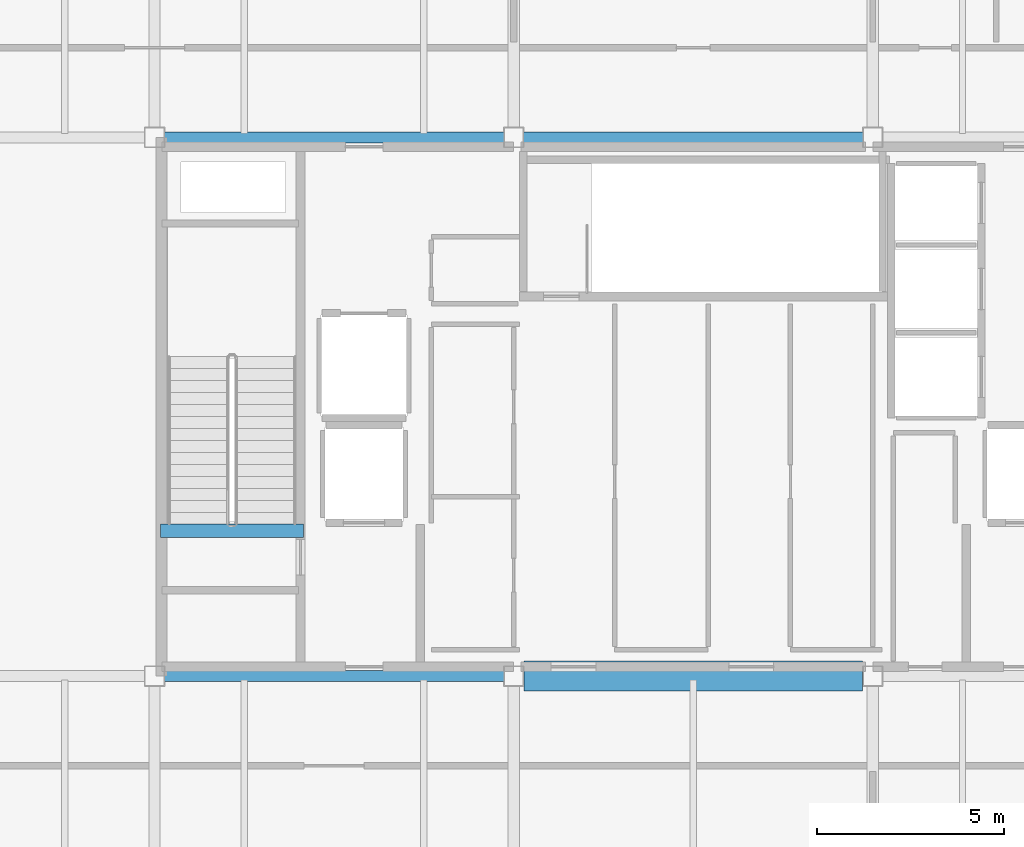
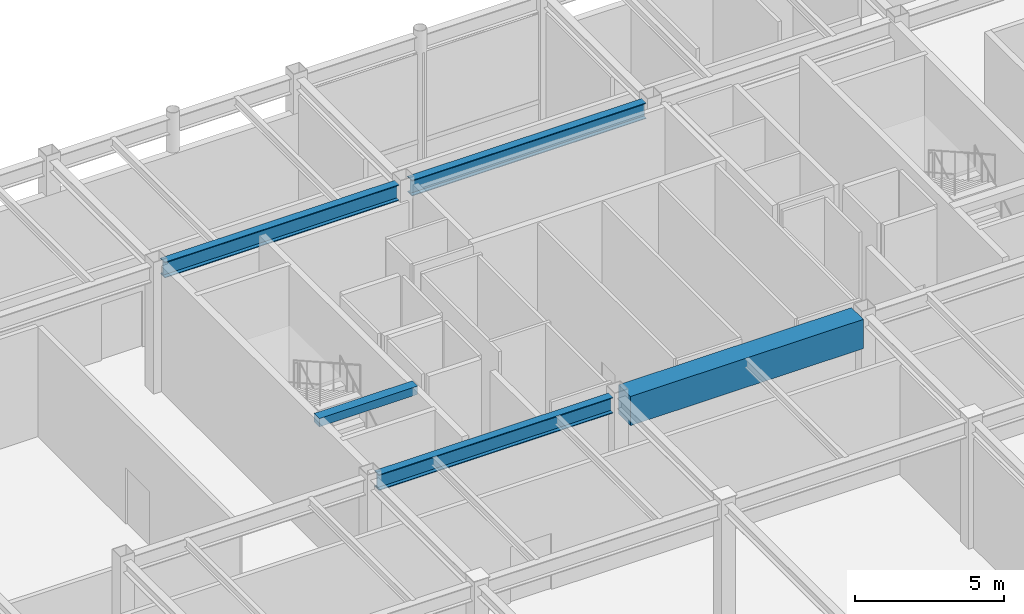
# One storey, part 8 of 21: 5 beams.
"""IFC4 building model written with IfcOpenShell, lengths in metres."""

from ifc_helpers import new_model, si_unit, direction, frame, origin, origin_2d, place, context, subcontext, project, spatial, rectangle, i_section, extrude, material, material_profile, profile_set, type_object, element, save


model = new_model("IFC4")

# Units and contexts
model_context = context("Model", 3, precision=1e-05, world=origin(), true_north=direction((0.0, 1.0)))
body_context = subcontext(model_context, "Body", "Model", "MODEL_VIEW")
ifc_project = project(units=[si_unit("LENGTHUNIT", "METRE"), si_unit("AREAUNIT", "SQUARE_METRE"), si_unit("VOLUMEUNIT", "CUBIC_METRE"), si_unit("PLANEANGLEUNIT", "RADIAN"), si_unit("MASSUNIT", "GRAM", prefix="KILO")], contexts=[model_context])

# Site, building, storey
site_placement = place(None, origin())
site = spatial("IfcSite", under=ifc_project, at=site_placement, CompositionType="ELEMENT")
building_placement = place(site_placement, origin())
building = spatial("IfcBuilding", under=site, at=building_placement, Name="Kallvorn Hotel Tower", CompositionType="ELEMENT")
storey_placement = place(building_placement, frame((0.0, 0.0, 300.60009765625)))
storey = spatial("IfcBuildingStorey", under=building, at=storey_placement, Name="L74", CompositionType="ELEMENT", Elevation=300.60009765625)

# Beams
ifc_material_1 = material(Name="Structural steel S355JR", Category="steel")
ifc_material_profile_1 = material_profile(ifc_material_1, i_section(OverallWidth=0.300048828125, OverallDepth=0.64990234375, WebThickness=0.01611328125, FlangeThickness=0.031005859375, at=origin_2d()), Name="HE 650 B")
ifc_profile_set_1 = profile_set([ifc_material_profile_1], Name="Structural steel S355JR")
beam_type_1 = type_object("IfcBeamType", Name="BM_HE650B", PredefinedType="BEAM", material=ifc_profile_set_1)
for number, where, z_axis, x_axis, name in (
    (1, (-14.14990234375, -7.199951171875, 4.8349609375), (1.0, 0.0, 0.0), (0.0, 1.0, 0.0), "ROOF Primary X-Girder 08"),
    (2, (-14.14990234375, 7.199951171875, 4.8349609375), (1.0, 0.0, 0.0), (0.0, 1.0, 0.0), "ROOF Primary X-Girder 12"),
):
    element("IfcBeam", number, at=place(storey_placement, frame(where, z_axis=z_axis, x_axis=x_axis)), inside=storey, type_object=beam_type_1, Name=name, PredefinedType="BEAM", context=body_context, shape_type="SweptSolid", body=[
        extrude(i_section(OverallWidth=0.300048828125, OverallDepth=0.64990234375, WebThickness=0.01611328125, FlangeThickness=0.031005859375, at=origin_2d()), origin(), (0.0, 0.0, 1.0), 9.099853515625),
    ])
beam_1_placement = place(storey_placement, frame((-4.550048828125, 7.199951171875, 4.8349609375), z_axis=(1.0, 0.0, 0.0), x_axis=(0.0, 1.0, 0.0)))
element("IfcBeam", 3, at=beam_1_placement, inside=storey, type_object=beam_type_1, Name="ROOF Primary X-Girder 13", PredefinedType="BEAM", context=body_context, shape_type="SweptSolid", body=[
    extrude(i_section(OverallWidth=0.300048828125, OverallDepth=0.64990234375, WebThickness=0.01611328125, FlangeThickness=0.031005859375, at=origin_2d()), origin(), (0.0, 0.0, 1.0), 9.10009765625),
])
ifc_material_2 = material(Name="Concrete C50/60", Category="concrete")
ifc_material_profile_2 = material_profile(ifc_material_2, rectangle(XDim=0.360107421875, YDim=0.340087890625, at=origin_2d()), Name="RC 360x340")
ifc_profile_set_2 = profile_set([ifc_material_profile_2], Name="Concrete C50/60")
beam_type_2 = type_object("IfcBeamType", Name="BM_RC_400x360", PredefinedType="BEAM", material=ifc_profile_set_2)
beam_2_placement = place(storey_placement, frame((-10.419921875, -3.31005859375, 4.989990234375), z_axis=(-1.0, 0.0, 0.0), x_axis=(0.0, -1.0, 0.0)))
element("IfcBeam", 4, at=beam_2_placement, inside=storey, type_object=beam_type_2, Name="ROOF Stair ST1 Arrival Trimmer Beam", PredefinedType="BEAM", context=body_context, shape_type="SweptSolid", body=[
    extrude(rectangle(XDim=0.360107421875, YDim=0.340087890625, at=origin_2d()), origin(), (0.0, 0.0, 1.0), 3.820068359375),
])
ifc_material_3 = material(Name="Concrete C50/60", Category="concrete")
ifc_material_profile_3 = material_profile(ifc_material_3, rectangle(XDim=0.800048828125, YDim=1.199951171875, at=origin_2d()), Name="RC 800x1200")
ifc_profile_set_3 = profile_set([ifc_material_profile_3], Name="Concrete C50/60")
beam_type_3 = type_object("IfcBeamType", Name="BM_RC_800x1200", PredefinedType="T_BEAM", material=ifc_profile_set_3)
beam_3_placement = place(storey_placement, frame((-4.52490234375, -7.199951171875, 4.559814453125), z_axis=(1.0, 0.0, 0.0), x_axis=(0.0, 1.0, 0.0)))
element("IfcBeam", 5, at=beam_3_placement, inside=storey, type_object=beam_type_3, Name="L74 Core Coupling Beam South", PredefinedType="T_BEAM", context=body_context, shape_type="SweptSolid", body=[
    extrude(rectangle(XDim=0.800048828125, YDim=1.199951171875, at=origin_2d()), origin(), (0.0, 0.0, 1.0), 9.0498046875),
])

save(model, "model.ifc")
